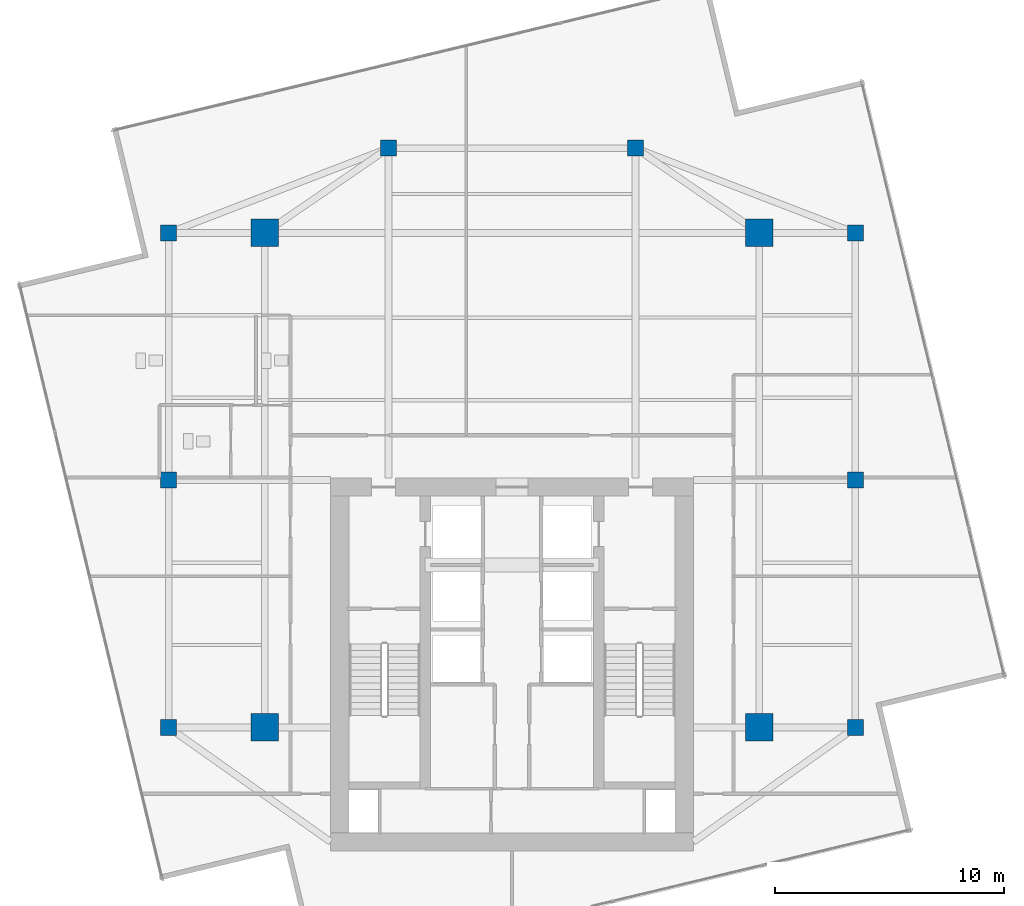
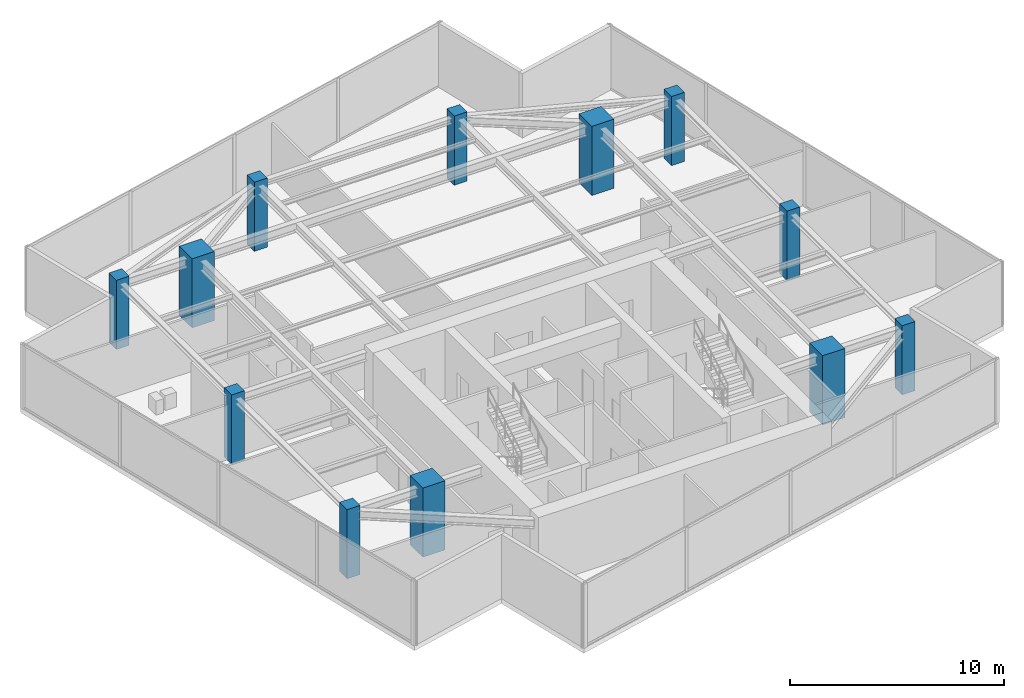
# One storey, part 1 of 22: 12 columns.
"""IFC4 building model written with IfcOpenShell, lengths in metres."""

from ifc_helpers import new_model, si_unit, direction, frame, origin, origin_2d, place, context, subcontext, project, spatial, rectangle, extrude, source, transform, mapped, material, material_profile, profile_set, type_object, type_shapes, element, save


model = new_model("IFC4")

# Units and contexts
model_context = context("Model", 3, precision=1e-05, world=origin(), true_north=direction((0.0, 1.0)))
body_context = subcontext(model_context, "Body", "Model", "MODEL_VIEW")
ifc_project = project(units=[si_unit("LENGTHUNIT", "METRE"), si_unit("AREAUNIT", "SQUARE_METRE"), si_unit("VOLUMEUNIT", "CUBIC_METRE"), si_unit("PLANEANGLEUNIT", "RADIAN"), si_unit("MASSUNIT", "GRAM", prefix="KILO")], contexts=[model_context])

# Site, building, storey
site_placement = place(None, origin())
site = spatial("IfcSite", under=ifc_project, at=site_placement, CompositionType="ELEMENT")
building_placement = place(site_placement, origin())
building = spatial("IfcBuilding", under=site, at=building_placement, Name="Krantzveldt Concourse Tower", CompositionType="ELEMENT")
storey_placement = place(building_placement, frame((0.0, 0.0, 355.35009765625)))
storey = spatial("IfcBuildingStorey", under=building, at=storey_placement, Name="L87", CompositionType="ELEMENT", Elevation=355.35009765625)

# Columns
ifc_material = material(Name="Concrete C50/60", Category="concrete")
ifc_material_profile_1 = material_profile(ifc_material, rectangle(XDim=1.199951171875, YDim=1.199951171875, at=origin_2d()), Name="Concrete C50/60", Category="concrete")
ifc_profile_set_1 = profile_set([ifc_material_profile_1], Name="Concrete C50/60 - RC 1200x1200")
column_type_1 = type_object("IfcColumnType", Name="COL-MC-1200", PredefinedType="USERDEFINED", material=ifc_profile_set_1)
shared_shape_1 = source(origin(), body_context, "Body", "SweptSolid", [
    extrude(rectangle(XDim=1.199951171875, YDim=1.199951171875, at=origin_2d()), origin(), (0.0, 0.0, 1.0), 3.949951171875),
])
type_shapes(column_type_1, [shared_shape_1])
for number, where, z_axis, x_axis, name in (
    (1, (25.199951171875, 15.89990234375, 0.0), (0.0, 0.0, 1.0), (1.0, 0.0, 0.0), "MC-SW-L87"),
    (2, (46.800048828125, 15.89990234375, 0.0), (0.0, 0.0, 1.0), (1.0, 0.0, 0.0), "MC-SE-L87"),
    (3, (46.800048828125, 37.5, 0.0), (0.0, 0.0, 1.0), (1.0, 0.0, 0.0), "MC-NE-L87"),
    (4, (25.199951171875, 37.5, 0.0), (0.0, 0.0, 1.0), (1.0, 0.0, 0.0), "MC-NW-L87"),
):
    element("IfcColumn", number, at=place(storey_placement, frame(where, z_axis=z_axis, x_axis=x_axis)), inside=storey, type_object=column_type_1, Name=name, ObjectType="MEGA COLUMN", PredefinedType="USERDEFINED", context=body_context, shape_type="MappedRepresentation", body=[
        mapped(shared_shape_1, transform((0.0, 0.0, 0.0), x_axis=(1.0, 0.0, 0.0), y_axis=(0.0, 1.0, 0.0), z_axis=(0.0, 0.0, 1.0), scale=1.0)),
    ])
ifc_material_profile_2 = material_profile(ifc_material, rectangle(XDim=0.699951171875, YDim=0.699951171875, at=origin_2d()), Name="Concrete C50/60", Category="concrete")
ifc_profile_set_2 = profile_set([ifc_material_profile_2], Name="Concrete C50/60 - RC 700x700")
column_type_2 = type_object("IfcColumnType", Name="COL-C-Z6", PredefinedType="COLUMN", material=ifc_profile_set_2)
shared_shape_2 = source(origin(), body_context, "Body", "SweptSolid", [
    extrude(rectangle(XDim=0.699951171875, YDim=0.699951171875, at=origin_2d()), origin(), (0.0, 0.0, 1.0), 3.949951171875),
])
type_shapes(column_type_2, [shared_shape_2])
for number, where, z_axis, x_axis, name in (
    (5, (21.0, 15.89990234375, 0.0), (0.0, 0.0, 1.0), (1.0, 0.0, 0.0), "PC-R01-L87"),
    (6, (21.0, 26.699951171875, 0.0), (0.0, 0.0, 1.0), (1.0, 0.0, 0.0), "PC-R02-L87"),
    (7, (21.0, 37.5, 0.0), (0.0, 0.0, 1.0), (1.0, 0.0, 0.0), "PC-R03-L87"),
    (8, (30.60009765625, 41.199951171875, 0.0), (0.0, 0.0, 1.0), (1.0, 0.0, 0.0), "PC-R04-L87"),
    (9, (41.39990234375, 41.199951171875, 0.0), (0.0, 0.0, 1.0), (1.0, 0.0, 0.0), "PC-R05-L87"),
    (10, (51.0, 37.5, 0.0), (0.0, 0.0, 1.0), (1.0, 0.0, 0.0), "PC-R06-L87"),
    (11, (51.0, 26.699951171875, 0.0), (0.0, 0.0, 1.0), (1.0, 0.0, 0.0), "PC-R07-L87"),
    (12, (51.0, 15.89990234375, 0.0), (0.0, 0.0, 1.0), (1.0, 0.0, 0.0), "PC-R08-L87"),
):
    element("IfcColumn", number, at=place(storey_placement, frame(where, z_axis=z_axis, x_axis=x_axis)), inside=storey, type_object=column_type_2, Name=name, PredefinedType="COLUMN", context=body_context, shape_type="MappedRepresentation", body=[
        mapped(shared_shape_2, transform((0.0, 0.0, 0.0), x_axis=(1.0, 0.0, 0.0), y_axis=(0.0, 1.0, 0.0), z_axis=(0.0, 0.0, 1.0), scale=1.0)),
    ])

save(model, "model.ifc")
